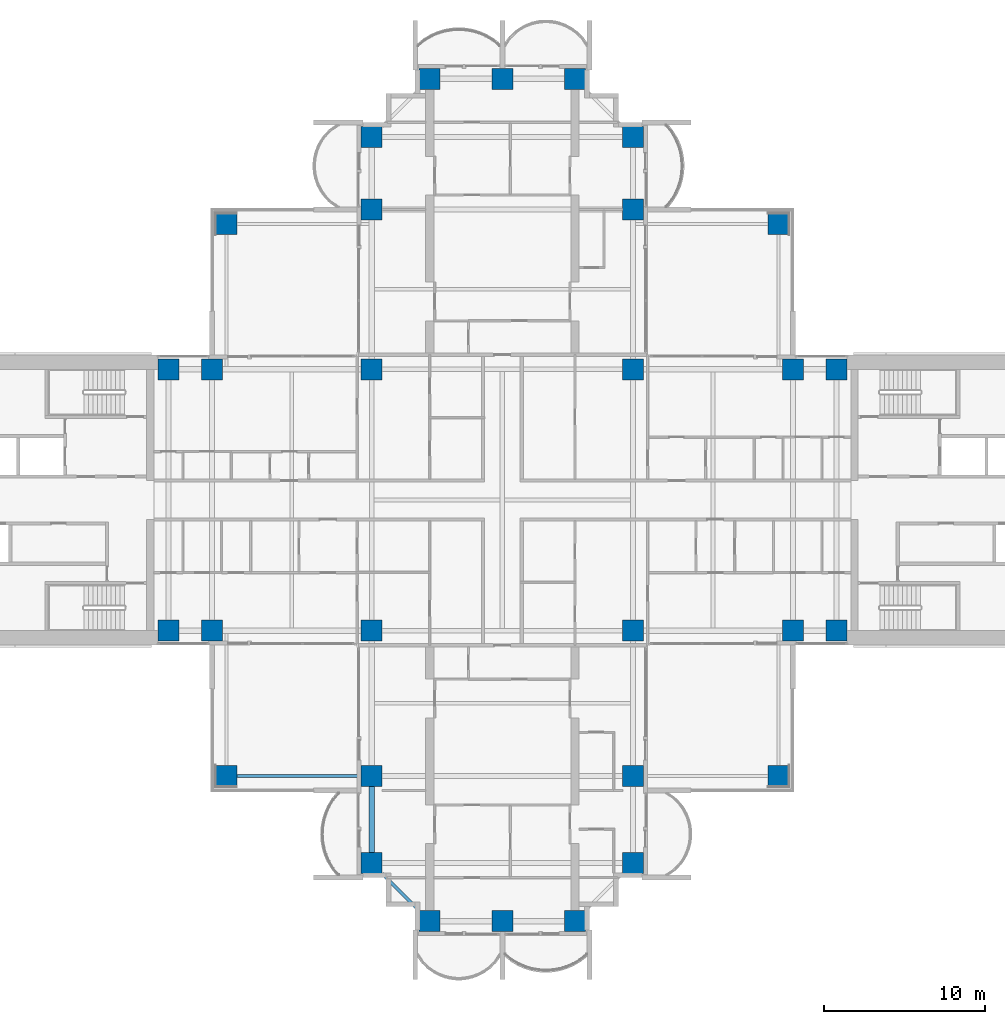
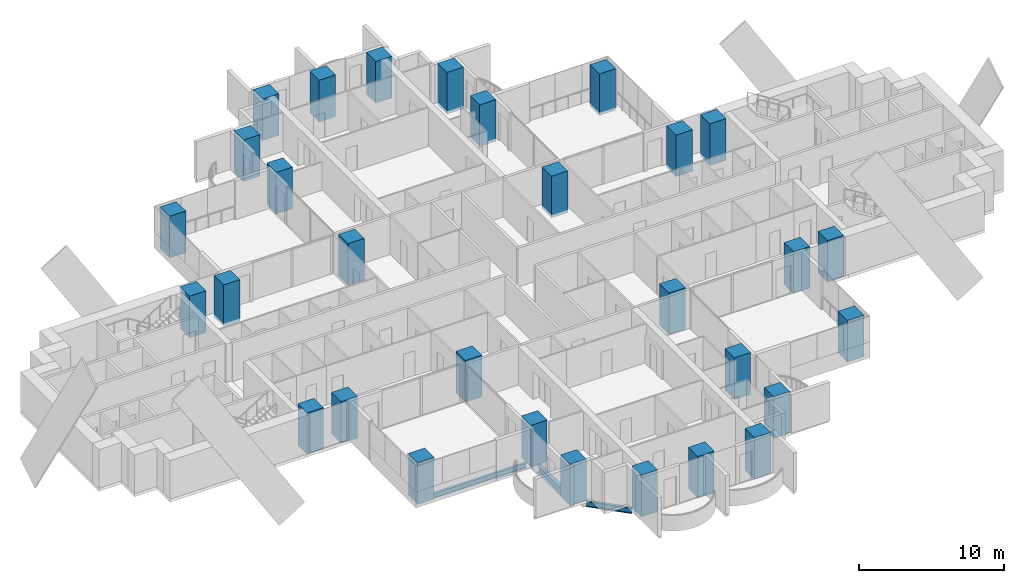
# One storey, part 1 of 22: 30 columns, 3 beams.
"""IFC4 building model written with IfcOpenShell, lengths in metres."""

from ifc_helpers import new_model, si_unit, direction, frame, origin, origin_2d, place, context, subcontext, project, spatial, rectangle, i_section, extrude, material, material_profile, profile_set, type_object, element, save


model = new_model("IFC4")

# Units and contexts
model_context = context("Model", 3, precision=1e-05, world=origin(), true_north=direction((0.0, 1.0)))
body_context = subcontext(model_context, "Body", "Model", "MODEL_VIEW")
ifc_project = project(units=[si_unit("LENGTHUNIT", "METRE"), si_unit("AREAUNIT", "SQUARE_METRE"), si_unit("VOLUMEUNIT", "CUBIC_METRE"), si_unit("PLANEANGLEUNIT", "RADIAN"), si_unit("MASSUNIT", "GRAM", prefix="KILO")], contexts=[model_context])

# Site, building, storey
site_placement = place(None, origin())
site = spatial("IfcSite", under=ifc_project, at=site_placement, CompositionType="ELEMENT")
building_placement = place(site_placement, origin())
building = spatial("IfcBuilding", under=site, at=building_placement, Name="Perihelion Cross Residences", CompositionType="ELEMENT")
storey_placement = place(building_placement, frame((0.0, 0.0, 50.5)))
storey = spatial("IfcBuildingStorey", under=building, at=storey_placement, Name="L09", CompositionType="ELEMENT", Elevation=50.5)

# Columns
ifc_material_1 = material(Name="Concrete C70/85", Category="concrete")
ifc_material_profile_1 = material_profile(ifc_material_1, rectangle(XDim=1.300048828125, YDim=1.300048828125, at=origin_2d()), Name="RC 1300x1300")
ifc_profile_set_1 = profile_set([ifc_material_profile_1], Name="Concrete C70/85")
column_type = type_object("IfcColumnType", Name="Reinforced concrete column 1300x1300 C70/85", PredefinedType="COLUMN", material=ifc_profile_set_1)
for number, where, z_axis, x_axis, name in (
    (1, (-20.699951171875, -8.10009765625, -0.25), (0.0, 0.0, 1.0), (1.0, 0.0, 0.0), "Column C017 L09 no. 1"),
    (2, (-20.699951171875, 8.10009765625, -0.25), (0.0, 0.0, 1.0), (1.0, 0.0, 0.0), "Column C010 L09 no. 1"),
    (3, (-18.0, -8.10009765625, -0.25), (0.0, 0.0, 1.0), (1.0, 0.0, 0.0), "Column C018 L09 no. 1"),
    (4, (-18.0, 8.10009765625, -0.25), (0.0, 0.0, 1.0), (1.0, 0.0, 0.0), "Column C011 L09 no. 1"),
    (5, (-8.10009765625, -22.5, -0.25), (0.0, 0.0, 1.0), (1.0, 0.0, 0.0), "Column C040 L09 no. 1"),
    (6, (-8.10009765625, -17.10009765625, -0.25), (0.0, 0.0, 1.0), (1.0, 0.0, 0.0), "Column C031 L09 no. 1"),
    (7, (-8.10009765625, -8.10009765625, -0.25), (0.0, 0.0, 1.0), (1.0, 0.0, 0.0), "Column C019 L09 no. 1"),
    (8, (-8.10009765625, 8.10009765625, -0.25), (0.0, 0.0, 1.0), (1.0, 0.0, 0.0), "Column C012 L09 no. 1"),
    (9, (-8.10009765625, 18.0, -0.25), (0.0, 0.0, 1.0), (1.0, 0.0, 0.0), "Column C006 L09 no. 1"),
    (10, (-8.10009765625, 22.5, -0.25), (0.0, 0.0, 1.0), (1.0, 0.0, 0.0), "Column C004 L09 no. 1"),
    (11, (-4.5, -26.10009765625, -0.25), (0.0, 0.0, 1.0), (1.0, 0.0, 0.0), "Column C042 L09 no. 1"),
    (12, (-4.5, 26.10009765625, -0.25), (0.0, 0.0, 1.0), (1.0, 0.0, 0.0), "Column C001 L09 no. 1"),
    (13, (0.0, -26.10009765625, -0.25), (0.0, 0.0, 1.0), (1.0, 0.0, 0.0), "Column C043 L09 no. 1"),
    (14, (0.0, 26.10009765625, -0.25), (0.0, 0.0, 1.0), (1.0, 0.0, 0.0), "Column C002 L09 no. 1"),
    (15, (4.5, -26.10009765625, -0.25), (0.0, 0.0, 1.0), (1.0, 0.0, 0.0), "Column C044 L09 no. 1"),
    (16, (4.5, 26.10009765625, -0.25), (0.0, 0.0, 1.0), (1.0, 0.0, 0.0), "Column C003 L09 no. 1"),
    (17, (8.10009765625, -22.5, -0.25), (0.0, 0.0, 1.0), (1.0, 0.0, 0.0), "Column C041 L09 no. 1"),
    (18, (8.10009765625, -17.10009765625, -0.25), (0.0, 0.0, 1.0), (1.0, 0.0, 0.0), "Column C035 L09 no. 1"),
    (19, (8.10009765625, -8.10009765625, -0.25), (0.0, 0.0, 1.0), (1.0, 0.0, 0.0), "Column C020 L09 no. 1"),
    (20, (8.10009765625, 8.10009765625, -0.25), (0.0, 0.0, 1.0), (1.0, 0.0, 0.0), "Column C014 L09 no. 1"),
    (21, (8.10009765625, 18.0, -0.25), (0.0, 0.0, 1.0), (1.0, 0.0, 0.0), "Column C007 L09 no. 1"),
    (22, (8.10009765625, 22.5, -0.25), (0.0, 0.0, 1.0), (1.0, 0.0, 0.0), "Column C005 L09 no. 1"),
    (23, (18.0, -8.10009765625, -0.25), (0.0, 0.0, 1.0), (1.0, 0.0, 0.0), "Column C021 L09 no. 1"),
    (24, (18.0, 8.10009765625, -0.25), (0.0, 0.0, 1.0), (1.0, 0.0, 0.0), "Column C015 L09 no. 1"),
    (25, (20.699951171875, -8.10009765625, -0.25), (0.0, 0.0, 1.0), (1.0, 0.0, 0.0), "Column C022 L09 no. 1"),
    (26, (20.699951171875, 8.10009765625, -0.25), (0.0, 0.0, 1.0), (1.0, 0.0, 0.0), "Column C016 L09 no. 1"),
    (27, (17.10009765625, 17.10009765625, -0.25), (0.0, 0.0, 1.0), (1.0, 0.0, 0.0), "Column C009 L09 no. 1"),
    (28, (-17.10009765625, 17.10009765625, -0.25), (0.0, 0.0, 1.0), (1.0, 0.0, 0.0), "Column C008 L09 no. 1"),
    (29, (-17.10009765625, -17.10009765625, -0.25), (0.0, 0.0, 1.0), (1.0, 0.0, 0.0), "Column C030 L09 no. 1"),
    (30, (17.10009765625, -17.10009765625, -0.25), (0.0, 0.0, 1.0), (1.0, 0.0, 0.0), "Column C036 L09 no. 1"),
):
    element("IfcColumn", number, at=place(storey_placement, frame(where, z_axis=z_axis, x_axis=x_axis)), inside=storey, type_object=column_type, Name=name, PredefinedType="COLUMN", context=body_context, shape_type="SweptSolid", body=[
        extrude(rectangle(XDim=1.300048828125, YDim=1.300048828125, at=origin_2d()), origin(), (0.0, 0.0, 1.0), 3.5),
    ])

# Beams
ifc_material_2 = material(Name="Steel S355", Category="steel")
ifc_material_profile_2 = material_profile(ifc_material_2, i_section(OverallWidth=0.177978515625, OverallDepth=0.406005859375, WebThickness=0.0078125, FlangeThickness=0.0126953125, at=origin_2d()), Name="W410x60")
ifc_profile_set_2 = profile_set([ifc_material_profile_2], Name="Steel S355")
beam_type_1 = type_object("IfcBeamType", Name="Core edge beam W410x60", PredefinedType="BEAM", material=ifc_profile_set_2)
beam_1_placement = place(storey_placement, frame((-8.75, -17.10009765625, -0.452880859375), z_axis=(-1.0, 0.0, 0.0), x_axis=(0.0, -1.0, 0.0)))
element("IfcBeam", 31, at=beam_1_placement, inside=storey, type_object=beam_type_1, Name="Core edge beam TB2 L09 corner no. 2", PredefinedType="BEAM", context=body_context, shape_type="SweptSolid", body=[
    extrude(i_section(OverallWidth=0.177978515625, OverallDepth=0.406005859375, WebThickness=0.0078125, FlangeThickness=0.0126953125, at=origin_2d()), origin(), (0.0, 0.0, 1.0), 7.699951171875),
])
ifc_material_3 = material(Name="Steel S355", Category="steel")
ifc_material_profile_3 = material_profile(ifc_material_3, i_section(OverallWidth=0.324951171875, OverallDepth=0.616943359375, WebThickness=0.013916015625, FlangeThickness=0.021484375, at=origin_2d()), Name="W610x174")
ifc_profile_set_3 = profile_set([ifc_material_profile_3], Name="Steel S355")
beam_type_2 = type_object("IfcBeamType", Name="Edge beam W610x174", PredefinedType="SPANDREL", material=ifc_profile_set_3)
beam_2_placement = place(storey_placement, frame((-8.10009765625, -17.75, -0.55859375), z_axis=(0.0, -1.0, 0.0), x_axis=(1.0, 0.0, 0.0)))
element("IfcBeam", 32, at=beam_2_placement, inside=storey, type_object=beam_type_2, Name="Edge beam SB2 L09 no. 5", PredefinedType="SPANDREL", context=body_context, shape_type="SweptSolid", body=[
    extrude(i_section(OverallWidth=0.324951171875, OverallDepth=0.616943359375, WebThickness=0.013916015625, FlangeThickness=0.021484375, at=origin_2d()), origin(), (0.0, 0.0, 1.0), 4.10009765625),
])
ifc_material_4 = material(Name="Steel S355", Category="steel")
ifc_material_profile_4 = material_profile(ifc_material_4, i_section(OverallWidth=0.194091796875, OverallDepth=0.469970703125, WebThickness=0.0126953125, FlangeThickness=0.0205078125, at=origin_2d()), Name="W460x106")
ifc_profile_set_4 = profile_set([ifc_material_profile_4], Name="Steel S355")
beam_type_3 = type_object("IfcBeamType", Name="Serration edge beam W460x106", PredefinedType="BEAM", material=ifc_profile_set_4)
beam_3_placement = place(storey_placement, frame((-7.449951171875, -23.14990234375, -0.485107421875), z_axis=(0.707106781187, -0.707106781187, 0.0), x_axis=(0.707106781187, 0.707106781187, 0.0)))
element("IfcBeam", 33, at=beam_3_placement, inside=storey, type_object=beam_type_3, Name="Serration edge beam EB2 L09 no. 2", PredefinedType="BEAM", context=body_context, shape_type="SweptSolid", body=[
    extrude(i_section(OverallWidth=0.194091796875, OverallDepth=0.469970703125, WebThickness=0.0126953125, FlangeThickness=0.0205078125, at=origin_2d()), origin(), (0.0, 0.0, 1.0), 3.252685546875),
])

save(model, "model.ifc")
